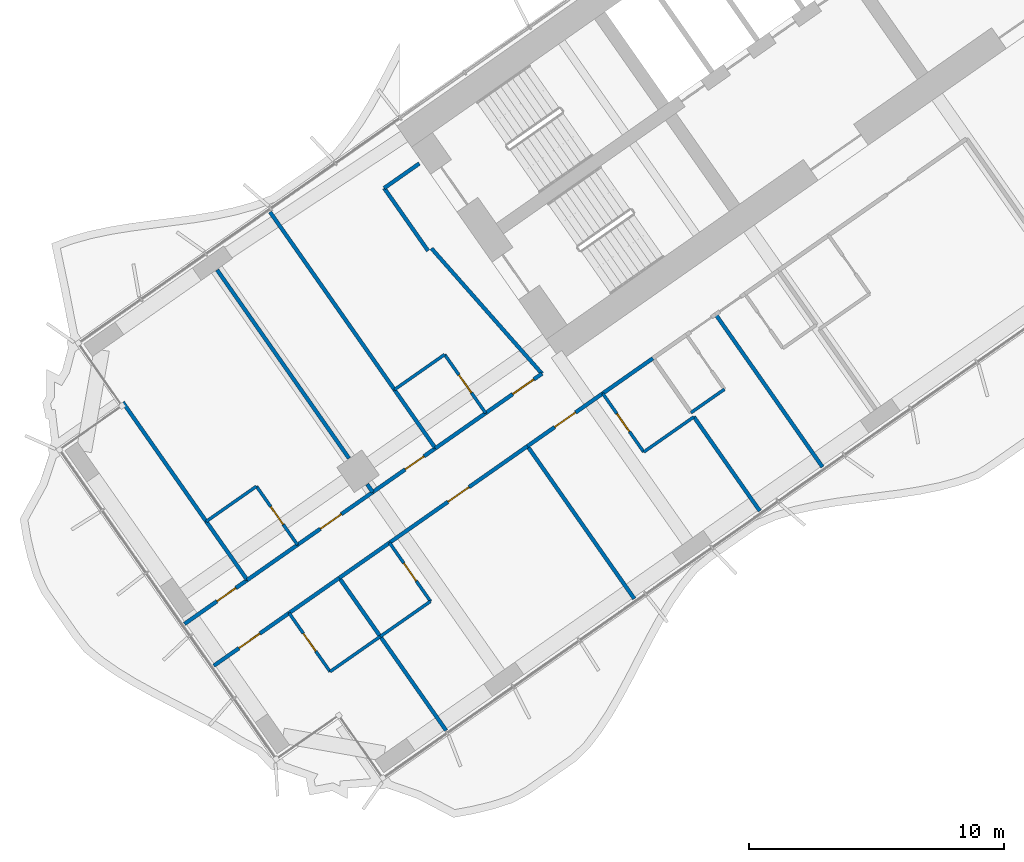
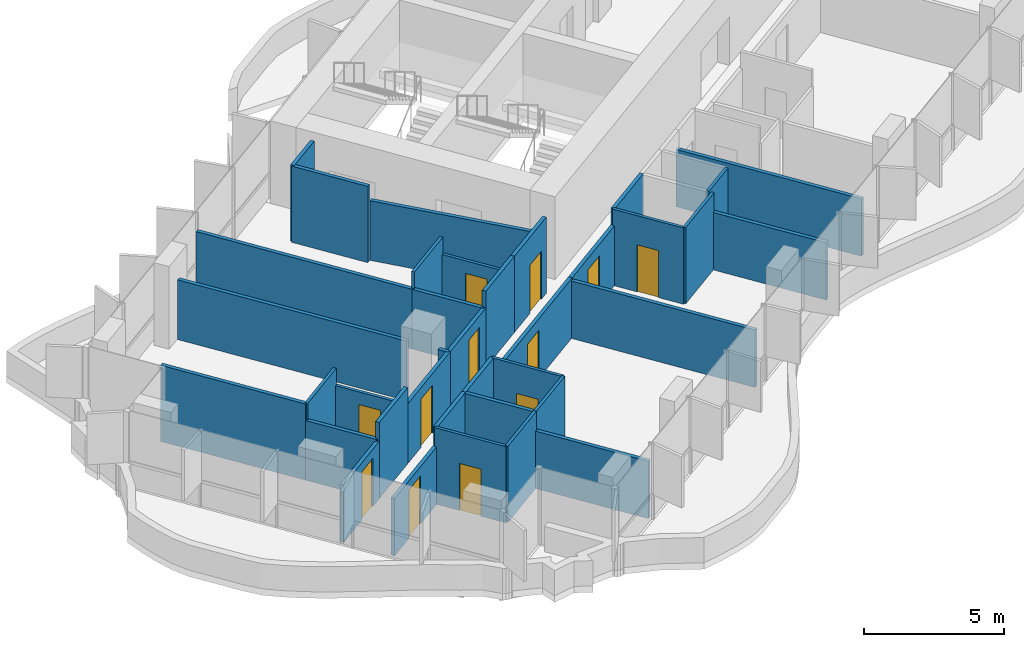
# One storey, part 12 of 23: 37 walls, 12 doors, 12 openings.
"""IFC4 building model written with IfcOpenShell, lengths in metres."""

import ifcopenshell
import ifcopenshell.guid

model = None  # the IFC model being written
_history = None  # IfcOwnerHistory: only IFC2X3 demands one
_inside = {}  # id of a spatial element -> (the spatial element, [elements in it])
_under = {}  # id of a project, library or spatial element -> (it, [spatial elements below it])
_declared = {}  # id of a project -> (the project, [libraries it declares])
_typed = {}  # id of a type object -> (the type object, [elements of that type])
_made_of = {}  # id of a material, layer set ... -> (it, [elements and type objects made of it])


def new_model(schema):
    """Start an empty IFC model of exactly this schema.

    Asked for "IFC4X3", IfcOpenShell would pick the latest addendum, in which some entities
    have other attributes; the version numbers below select the first issue.
    IFC2X3 requires an IfcOwnerHistory on every rooted entity: one is made here for all.
    """
    global model, _history
    if schema == "IFC4X3":
        model = ifcopenshell.file(schema_version=(4, 3, 0, 0))
    else:
        model = ifcopenshell.file(schema=schema)
    _inside.clear()
    _under.clear()
    _declared.clear()
    _typed.clear()
    _made_of.clear()
    _history = None
    if model.schema == "IFC2X3":
        org = make("IfcOrganization", Name="unknown")
        user = make(
            "IfcPersonAndOrganization",
            ThePerson=make("IfcPerson", FamilyName="unknown"),
            TheOrganization=org,
        )
        app = make(
            "IfcApplication",
            ApplicationDeveloper=org,
            Version="unknown",
            ApplicationFullName="unknown",
            ApplicationIdentifier="unknown",
        )
        _history = make(
            "IfcOwnerHistory",
            OwningUser=user,
            OwningApplication=app,
            ChangeAction="ADDED",
            CreationDate=0,
        )
    return model


def make(cls, **values):
    """One entity of the class cls with the attributes given. An attribute that is None is left unset."""
    return model.create_entity(
        cls, **{name: value for name, value in values.items() if value is not None}
    )


def rooted(cls, **values):
    """An entity with a GlobalId (a new one), such as an element, a storey or a relation."""
    return make(cls, GlobalId=ifcopenshell.guid.new(), OwnerHistory=_history, **values)


def si_unit(unit_type, name, prefix=None):
    """IfcSIUnit, for example si_unit("LENGTHUNIT", "METRE", prefix="MILLI")."""
    return make("IfcSIUnit", UnitType=unit_type, Prefix=prefix, Name=name)


def assignment(units):
    """IfcUnitAssignment: the units of a project."""
    return None if units is None else make("IfcUnitAssignment", Units=units)


def point(xyz):
    """IfcCartesianPoint."""
    return None if xyz is None else make("IfcCartesianPoint", Coordinates=xyz)


def direction(xyz):
    """IfcDirection."""
    return None if xyz is None else make("IfcDirection", DirectionRatios=xyz)


def frame(location, z_axis=None, x_axis=None):
    """IfcAxis2Placement3D, a coordinate frame: its origin and axes. An axis left out is left unset."""
    return make(
        "IfcAxis2Placement3D",
        Location=point(location),
        Axis=direction(z_axis),
        RefDirection=direction(x_axis),
    )


def frame_2d(location, x_axis=None):
    """IfcAxis2Placement2D, a coordinate frame in the plane: its origin and x axis."""
    return make(
        "IfcAxis2Placement2D", Location=point(location), RefDirection=direction(x_axis)
    )


def origin():
    """The frame at (0, 0, 0) with its axes left unset."""
    return frame((0.0, 0.0, 0.0))


def place(relative_to, where):
    """IfcLocalPlacement: puts the frame where relative to a parent placement (None: the world)."""
    return make(
        "IfcLocalPlacement", PlacementRelTo=relative_to, RelativePlacement=where
    )


def context(
    kind, dimensions, precision=None, world=None, true_north=None, identifier=None
):
    """IfcGeometricRepresentationContext, for example the 3D "Model" context."""
    return make(
        "IfcGeometricRepresentationContext",
        ContextIdentifier=identifier,
        ContextType=kind,
        CoordinateSpaceDimension=dimensions,
        Precision=precision,
        WorldCoordinateSystem=world,
        TrueNorth=true_north,
    )


def subcontext(parent, identifier, kind, view, scale=None):
    """IfcGeometricRepresentationSubContext, for example "Body" below "Model"."""
    return make(
        "IfcGeometricRepresentationSubContext",
        ContextIdentifier=identifier,
        ContextType=kind,
        ParentContext=parent,
        TargetScale=scale,
        TargetView=view,
    )


def project(units=None, contexts=None):
    """IfcProject with its units and contexts."""
    return rooted(
        "IfcProject",
        Name="project",
        RepresentationContexts=contexts,
        UnitsInContext=assignment(units),
    )


def spatial(cls, under=None, at=None, **own):
    """A site, building, storey or space (cls), placed at a placement, below another one or the project."""
    s = rooted(cls, ObjectPlacement=at, **own)
    if under is not None:
        _under.setdefault(under.id(), (under, []))[1].append(s)
    return s


def profile(cls, at=None, kind="AREA", **sizes):
    """A parametric profile (cls). Its sizes go by their IFC names, for example OverallWidth=200.0."""
    return make(cls, ProfileType=kind, Position=at, **sizes)


def rectangle(**sizes):
    """IfcRectangleProfileDef."""
    return profile("IfcRectangleProfileDef", **sizes)


def extrude(swept, where, along, depth):
    """IfcExtrudedAreaSolid: the profile swept, set in the frame where, extruded along a direction by depth."""
    return make(
        "IfcExtrudedAreaSolid",
        SweptArea=swept,
        Position=where,
        ExtrudedDirection=direction(along),
        Depth=depth,
    )


def shape(context_of_items, identifier, shape_type, items):
    """IfcShapeRepresentation: the items that make up one representation, for example the "Body"."""
    return make(
        "IfcShapeRepresentation",
        ContextOfItems=context_of_items,
        RepresentationIdentifier=identifier,
        RepresentationType=shape_type,
        Items=items,
    )


def material(Name=None, Category=None):
    """IfcMaterial."""
    return make("IfcMaterial", Name=Name, Category=Category)


def layer(
    of_material, thickness, ventilated=None, Name=None, Category=None, Priority=None
):
    """IfcMaterialLayer: one layer of a wall or slab, of a material (None: an air gap)."""
    return make(
        "IfcMaterialLayer",
        Material=of_material,
        LayerThickness=thickness,
        IsVentilated=ventilated,
        Name=Name,
        Category=Category,
        Priority=Priority,
    )


def layer_set(layers, Name=None):
    """IfcMaterialLayerSet."""
    return make("IfcMaterialLayerSet", MaterialLayers=layers, LayerSetName=Name)


def made_of(thing, what):
    """Note that an element or type object is made of a material, layer set ...; save() writes the relation."""
    if what is not None:
        _made_of.setdefault(what.id(), (what, []))[1].append(thing)
    return thing


def type_object(cls, material=None, **own):
    """A type object (cls), such as IfcWallType, which elements share."""
    return made_of(rooted(cls, **own), material)


def element(
    cls,
    number,
    at=None,
    inside=None,
    cuts=None,
    type_object=None,
    material=None,
    context=None,
    identifier="Body",
    shape_type=None,
    held_by="IfcProductDefinitionShape",
    body=None,
    shapes=None,
    **own,
):
    """One element of the class cls, such as IfcWall. Its Tag is "e" and its number.

    at: its placement. inside: the storey or other place that contains it. cuts: it is an
    opening in that element (IfcRelVoidsElement). A single representation is given by context,
    identifier, shape_type and body (its items); several are given by shapes. held_by: the class
    of the entity that holds the representations. save() writes the other relations.
    """
    e = rooted(cls, Tag="e%d" % number, ObjectPlacement=at, **own)
    if body is not None:
        shapes = [shape(context, identifier, shape_type, body)]
    if shapes is not None:
        e.Representation = make(held_by, Representations=shapes)
    if inside is not None:
        _inside.setdefault(inside.id(), (inside, []))[1].append(e)
    if cuts is not None:
        rooted(
            "IfcRelVoidsElement", RelatingBuildingElement=cuts, RelatedOpeningElement=e
        )
    if type_object is not None:
        _typed.setdefault(type_object.id(), (type_object, []))[1].append(e)
    return made_of(e, material)


def fill(opening, filler):
    """IfcRelFillsElement: the door or window that sits in an opening."""
    return rooted(
        "IfcRelFillsElement",
        RelatingOpeningElement=opening,
        RelatedBuildingElement=filler,
    )


def aggregate(whole, parts):
    """IfcRelAggregates: a whole, such as a stair, and the parts it consists of."""
    return rooted("IfcRelAggregates", RelatingObject=whole, RelatedObjects=parts)


def save(model, path):
    """Write the relations noted so far, then the file.

    IfcRelAggregates (storeys below a building ...), IfcRelContainedInSpatialStructure (elements
    in a storey), IfcRelDefinesByType, IfcRelAssociatesMaterial and IfcRelDeclares: one each for
    every whole, place, type object, material and project.
    """
    for whole, parts in _under.values():
        aggregate(whole, parts)
    for where, things in _inside.values():
        rooted(
            "IfcRelContainedInSpatialStructure",
            RelatedElements=things,
            RelatingStructure=where,
        )
    for kind, things in _typed.values():
        rooted("IfcRelDefinesByType", RelatedObjects=things, RelatingType=kind)
    for what, things in _made_of.values():
        rooted("IfcRelAssociatesMaterial", RelatedObjects=things, RelatingMaterial=what)
    for by, libraries in _declared.values():
        rooted("IfcRelDeclares", RelatingContext=by, RelatedDefinitions=libraries)
    model.write(path)


model = new_model("IFC4")

# Units and contexts
model_context = context("Model", 3, precision=1e-05, world=origin(), true_north=direction((0.0, 1.0)))
body_context = subcontext(model_context, "Body", "Model", "MODEL_VIEW")
ifc_project = project(units=[si_unit("LENGTHUNIT", "METRE"), si_unit("AREAUNIT", "SQUARE_METRE"), si_unit("VOLUMEUNIT", "CUBIC_METRE"), si_unit("PLANEANGLEUNIT", "RADIAN"), si_unit("MASSUNIT", "GRAM", prefix="KILO")], contexts=[model_context])

# Site, building, storey
site_placement = place(None, origin())
site = spatial("IfcSite", under=ifc_project, at=site_placement, CompositionType="ELEMENT")
building_placement = place(site_placement, origin())
building = spatial("IfcBuilding", under=site, at=building_placement, Name="Tel Ilan Convention Tower", CompositionType="ELEMENT")
storey_placement = place(building_placement, frame((0.0, 0.0, 101.300048828125)))
storey = spatial("IfcBuildingStorey", under=building, at=storey_placement, Name="L21", CompositionType="ELEMENT", Elevation=101.300048828125)

# Wall, opening, door
ifc_material_1 = material(Name="Plasterboard on Steel Studs", Category="steel")
ifc_layer_1 = layer(ifc_material_1, 0.14990234375)
ifc_layer_set_1 = layer_set([ifc_layer_1], Name="Fire-rated Partition 150 EI 60")
wall_type_1 = type_object("IfcWallType", Name="Fire-rated Partition 150 EI 60", PredefinedType="PARTITIONING", material=ifc_layer_set_1)
wall_1_placement = place(storey_placement, frame((-24.493408203125, -18.37109375, 0.0), z_axis=(0.0, 0.0, 1.0), x_axis=(0.819176640776, 0.573541307325, 0.0)))
wall_1 = element("IfcWall", 1, at=wall_1_placement, inside=storey, type_object=wall_type_1, Name="Partition 016", PredefinedType="PARTITIONING", context=body_context, shape_type="SweptSolid", body=[
    extrude(rectangle(XDim=2.697509765625, YDim=0.14990234375, at=frame_2d((1.3486328125, 0.0))), origin(), (0.0, 0.0, 1.0), 3.320068359375),
])
opening_1_placement = place(wall_1_placement, frame((1.301025390625, 0.0, 0.0)))
opening_1 = element("IfcOpeningElement", 2, at=opening_1_placement, cuts=wall_1, Name="Opening L21-014", PredefinedType="OPENING", context=body_context, shape_type="SweptSolid", body=[
    extrude(rectangle(XDim=1.0, YDim=2.10009765625, at=frame_2d((0.5, 1.050048828125))), frame((0.0, 0.0849609375, 0.0), z_axis=(0.0, -1.0, 0.0), x_axis=(1.0, 0.0, 0.0)), (0.0, 0.0, 1.0), 0.169921875),
])
ifc_material_2 = material(Name="Timber Door Leaf in Steel Frame", Category="steel")
door_type_1 = type_object("IfcDoorType", Name="Hotel Room Entrance Fire Door 1000x2100", OperationType="NOTDEFINED", PredefinedType="DOOR", material=ifc_material_2)
door_1_placement = place(opening_1_placement, origin())
door_1 = element("IfcDoor", 3, at=door_1_placement, inside=storey, type_object=door_type_1, Name="Door L21-014", OperationType="SINGLE_SWING_RIGHT", OverallHeight=2.10009765625, OverallWidth=1.0, PredefinedType="DOOR", context=body_context, shape_type="SweptSolid", body=[
    extrude(rectangle(XDim=1.0, YDim=2.10009765625, at=frame_2d((0.5, 1.050048828125))), frame((0.0, 0.02490234375, 0.0), z_axis=(0.0, -1.0, 0.0), x_axis=(1.0, 0.0, 0.0)), (0.0, 0.0, 1.0), 0.050048828125),
])
fill(opening_1, door_1)

# Wall
wall_2_placement = place(storey_placement, frame((-26.460205078125, -19.748291015625, 0.0), z_axis=(0.0, 0.0, 1.0), x_axis=(0.819179439794, 0.573537309527, 0.0)))
element("IfcWall", 4, at=wall_2_placement, inside=storey, type_object=wall_type_1, Name="Partition 017", PredefinedType="PARTITIONING", context=body_context, shape_type="SweptSolid", body=[
    extrude(rectangle(XDim=2.404296875, YDim=0.14990234375, at=frame_2d((1.2021484375, 0.0))), origin(), (0.0, 0.0, 1.0), 3.320068359375),
])

# Wall, opening, door
wall_3_placement = place(storey_placement, frame((-28.91748046875, -21.468994140625, 0.0), z_axis=(0.0, 0.0, 1.0), x_axis=(0.81916700466, 0.573555070134, 0.0)))
wall_3 = element("IfcWall", 5, at=wall_3_placement, inside=storey, type_object=wall_type_1, Name="Partition 018", PredefinedType="PARTITIONING", context=body_context, shape_type="SweptSolid", body=[
    extrude(rectangle(XDim=3.00390625, YDim=0.14990234375, at=frame_2d((1.501953125, 0.0))), origin(), (0.0, 0.0, 1.0), 2.599853515625),
])
opening_2_placement = place(wall_3_placement, frame((1.552001953125, 0.0, 0.0)))
opening_2 = element("IfcOpeningElement", 6, at=opening_2_placement, cuts=wall_3, Name="Opening L21-015", PredefinedType="OPENING", context=body_context, shape_type="SweptSolid", body=[
    extrude(rectangle(XDim=0.89990234375, YDim=2.10009765625, at=frame_2d((0.449951171875, 1.050048828125))), frame((0.0, 0.0849609375, 0.0), z_axis=(0.0, -1.0, 0.0), x_axis=(1.0, 0.0, 0.0)), (0.0, 0.0, 1.0), 0.169921875),
])
ifc_material_3 = material(Name="Timber Door Leaf in Steel Frame", Category="steel")
door_type_2 = type_object("IfcDoorType", Name="Room Fire Door 900x2100", OperationType="NOTDEFINED", PredefinedType="DOOR", material=ifc_material_3)
door_2_placement = place(opening_2_placement, origin())
door_2 = element("IfcDoor", 7, at=door_2_placement, inside=storey, type_object=door_type_2, Name="Door L21-015", OperationType="SINGLE_SWING_LEFT", OverallHeight=2.10009765625, OverallWidth=0.89990234375, PredefinedType="DOOR", context=body_context, shape_type="SweptSolid", body=[
    extrude(rectangle(XDim=0.89990234375, YDim=2.10009765625, at=frame_2d((0.449951171875, 1.050048828125))), frame((0.0, 0.02490234375, 0.0), z_axis=(0.0, -1.0, 0.0), x_axis=(1.0, 0.0, 0.0)), (0.0, 0.0, 1.0), 0.050048828125),
])
fill(opening_2, door_2)

wall_4_placement = place(storey_placement, frame((-31.86572265625, -23.533447265625, 0.0), z_axis=(0.0, 0.0, 1.0), x_axis=(0.819145961204, 0.573585123798, 0.0)))
wall_4 = element("IfcWall", 8, at=wall_4_placement, inside=storey, type_object=wall_type_1, Name="Partition 019", PredefinedType="PARTITIONING", context=body_context, shape_type="SweptSolid", body=[
    extrude(rectangle(XDim=3.60302734375, YDim=0.14990234375, at=frame_2d((1.801513671875, 0.0))), origin(), (0.0, 0.0, 1.0), 2.599853515625),
])
opening_3_placement = place(wall_4_placement, frame((1.10107421875, 0.0, 0.0)))
opening_3 = element("IfcOpeningElement", 9, at=opening_3_placement, cuts=wall_4, Name="Opening L21-017", PredefinedType="OPENING", context=body_context, shape_type="SweptSolid", body=[
    extrude(rectangle(XDim=1.0, YDim=2.10009765625, at=frame_2d((0.5, 1.050048828125))), frame((0.0, 0.0849609375, 0.0), z_axis=(0.0, -1.0, 0.0), x_axis=(1.0, 0.0, 0.0)), (0.0, 0.0, 1.0), 0.169921875),
])
door_3_placement = place(opening_3_placement, origin())
door_3 = element("IfcDoor", 10, at=door_3_placement, inside=storey, type_object=door_type_1, Name="Door L21-017", OperationType="SINGLE_SWING_LEFT", OverallHeight=2.10009765625, OverallWidth=1.0, PredefinedType="DOOR", context=body_context, shape_type="SweptSolid", body=[
    extrude(rectangle(XDim=1.0, YDim=2.10009765625, at=frame_2d((0.5, 1.050048828125))), frame((0.0, 0.02490234375, 0.0), z_axis=(0.0, -1.0, 0.0), x_axis=(1.0, 0.0, 0.0)), (0.0, 0.0, 1.0), 0.050048828125),
])
fill(opening_3, door_3)

# Wall
wall_5_placement = place(storey_placement, frame((-33.83251953125, -24.910400390625, 0.0), z_axis=(0.0, 0.0, 1.0), x_axis=(0.819146032251, 0.573585022335, 0.0)))
element("IfcWall", 11, at=wall_5_placement, inside=storey, type_object=wall_type_1, Name="Partition 020", PredefinedType="PARTITIONING", context=body_context, shape_type="SweptSolid", body=[
    extrude(rectangle(XDim=2.404052734375, YDim=0.14990234375, at=frame_2d((1.2021484375, 0.0))), origin(), (0.0, 0.0, 1.0), 3.320068359375),
])

# Wall, opening, door
wall_6_placement = place(storey_placement, frame((-36.288330078125, -26.630126953125, 0.0), z_axis=(0.0, 0.0, 1.0), x_axis=(0.81915932427, 0.57356603932, 0.0)))
wall_6 = element("IfcWall", 12, at=wall_6_placement, inside=storey, type_object=wall_type_1, Name="Partition 021", PredefinedType="PARTITIONING", context=body_context, shape_type="SweptSolid", body=[
    extrude(rectangle(XDim=3.002197265625, YDim=0.14990234375, at=frame_2d((1.5009765625, 0.0))), origin(), (0.0, 0.0, 1.0), 2.5),
])
opening_4_placement = place(wall_6_placement, frame((1.551025390625, 0.0, 0.0)))
opening_4 = element("IfcOpeningElement", 13, at=opening_4_placement, cuts=wall_6, Name="Opening L21-018", PredefinedType="OPENING", context=body_context, shape_type="SweptSolid", body=[
    extrude(rectangle(XDim=0.89990234375, YDim=2.10009765625, at=frame_2d((0.449951171875, 1.050048828125))), frame((0.0, 0.0849609375, 0.0), z_axis=(0.0, -1.0, 0.0), x_axis=(1.0, 0.0, 0.0)), (0.0, 0.0, 1.0), 0.169921875),
])
door_4_placement = place(opening_4_placement, origin())
door_4 = element("IfcDoor", 14, at=door_4_placement, inside=storey, type_object=door_type_2, Name="Door L21-018", OperationType="SINGLE_SWING_RIGHT", OverallHeight=2.10009765625, OverallWidth=0.89990234375, PredefinedType="DOOR", context=body_context, shape_type="SweptSolid", body=[
    extrude(rectangle(XDim=0.89990234375, YDim=2.10009765625, at=frame_2d((0.449951171875, 1.050048828125))), frame((0.0, 0.02490234375, 0.0), z_axis=(0.0, -1.0, 0.0), x_axis=(1.0, 0.0, 0.0)), (0.0, 0.0, 1.0), 0.050048828125),
])
fill(opening_4, door_4)

wall_7_placement = place(storey_placement, frame((-19.904052734375, -17.599365234375, 0.0), z_axis=(0.0, 0.0, 1.0), x_axis=(-0.819145961204, -0.573585123798, 0.0)))
wall_7 = element("IfcWall", 15, at=wall_7_placement, inside=storey, type_object=wall_type_1, Name="Partition 028", PredefinedType="PARTITIONING", context=body_context, shape_type="SweptSolid", body=[
    extrude(rectangle(XDim=3.60302734375, YDim=0.14990234375, at=frame_2d((1.801513671875, 0.0))), origin(), (0.0, 0.0, 1.0), 2.599853515625),
])
opening_5_placement = place(wall_7_placement, frame((1.301025390625, 0.0, 0.0)))
opening_5 = element("IfcOpeningElement", 16, at=opening_5_placement, cuts=wall_7, Name="Opening L21-008", PredefinedType="OPENING", context=body_context, shape_type="SweptSolid", body=[
    extrude(rectangle(XDim=1.0, YDim=2.10009765625, at=frame_2d((0.5, 1.050048828125))), frame((0.0, 0.0849609375, 0.0), z_axis=(0.0, -1.0, 0.0), x_axis=(1.0, 0.0, 0.0)), (0.0, 0.0, 1.0), 0.169921875),
])
door_5_placement = place(opening_5_placement, origin())
door_5 = element("IfcDoor", 17, at=door_5_placement, inside=storey, type_object=door_type_1, Name="Door L21-008", OperationType="SINGLE_SWING_RIGHT", OverallHeight=2.10009765625, OverallWidth=1.0, PredefinedType="DOOR", context=body_context, shape_type="SweptSolid", body=[
    extrude(rectangle(XDim=1.0, YDim=2.10009765625, at=frame_2d((0.5, 1.050048828125))), frame((0.0, 0.02490234375, 0.0), z_axis=(0.0, -1.0, 0.0), x_axis=(1.0, 0.0, 0.0)), (0.0, 0.0, 1.0), 0.050048828125),
])
fill(opening_5, door_5)

# Wall
wall_8_placement = place(storey_placement, frame((-17.937255859375, -16.22216796875, 0.0), z_axis=(0.0, 0.0, 1.0), x_axis=(-0.819146032251, -0.573585022335, 0.0)))
element("IfcWall", 18, at=wall_8_placement, inside=storey, type_object=wall_type_1, Name="Partition 029", PredefinedType="PARTITIONING", context=body_context, shape_type="SweptSolid", body=[
    extrude(rectangle(XDim=2.404052734375, YDim=0.14990234375, at=frame_2d((1.2021484375, 0.0))), origin(), (0.0, 0.0, 1.0), 3.320068359375),
])

# Wall, opening, door
wall_9_placement = place(storey_placement, frame((-22.852294921875, -19.66357421875, 0.0), z_axis=(0.0, 0.0, 1.0), x_axis=(-0.819141582452, -0.573591377113, 0.0)))
wall_9 = element("IfcWall", 19, at=wall_9_placement, inside=storey, type_object=wall_type_1, Name="Partition 030", PredefinedType="PARTITIONING", context=body_context, shape_type="SweptSolid", body=[
    extrude(rectangle(XDim=6.602783203125, YDim=0.14990234375, at=frame_2d((3.30126953125, 0.0))), origin(), (0.0, 0.0, 1.0), 2.599853515625),
])
opening_6_placement = place(wall_9_placement, frame((2.802001953125, 0.0, 0.0)))
opening_6 = element("IfcOpeningElement", 20, at=opening_6_placement, cuts=wall_9, Name="Opening L21-010", PredefinedType="OPENING", context=body_context, shape_type="SweptSolid", body=[
    extrude(rectangle(XDim=1.0, YDim=2.10009765625, at=frame_2d((0.5, 1.050048828125))), frame((0.0, 0.0849609375, 0.0), z_axis=(0.0, -1.0, 0.0), x_axis=(1.0, 0.0, 0.0)), (0.0, 0.0, 1.0), 0.169921875),
])
door_6_placement = place(opening_6_placement, origin())
door_6 = element("IfcDoor", 21, at=door_6_placement, inside=storey, type_object=door_type_1, Name="Door L21-010", OperationType="SINGLE_SWING_LEFT", OverallHeight=2.10009765625, OverallWidth=1.0, PredefinedType="DOOR", context=body_context, shape_type="SweptSolid", body=[
    extrude(rectangle(XDim=1.0, YDim=2.10009765625, at=frame_2d((0.5, 1.050048828125))), frame((0.0, 0.02490234375, 0.0), z_axis=(0.0, -1.0, 0.0), x_axis=(1.0, 0.0, 0.0)), (0.0, 0.0, 1.0), 0.050048828125),
])
fill(opening_6, door_6)

# Wall
wall_10_placement = place(storey_placement, frame((-28.258544921875, -23.44921875, 0.0), z_axis=(0.0, 0.0, 1.0), x_axis=(-0.819146032251, -0.573585022335, 0.0)))
element("IfcWall", 22, at=wall_10_placement, inside=storey, type_object=wall_type_1, Name="Partition 031", PredefinedType="PARTITIONING", context=body_context, shape_type="SweptSolid", body=[
    extrude(rectangle(XDim=2.404052734375, YDim=0.14990234375, at=frame_2d((1.2021484375, 0.0))), origin(), (0.0, 0.0, 1.0), 3.320068359375),
])

# Wall, opening, door
wall_11_placement = place(storey_placement, frame((-32.19140625, -26.202880859375, 0.0), z_axis=(0.0, 0.0, 1.0), x_axis=(-0.819149096931, -0.573580645591, 0.0)))
wall_11 = element("IfcWall", 23, at=wall_11_placement, inside=storey, type_object=wall_type_1, Name="Partition 032", PredefinedType="PARTITIONING", context=body_context, shape_type="SweptSolid", body=[
    extrude(rectangle(XDim=3.600830078125, YDim=0.14990234375, at=frame_2d((1.80029296875, 0.0))), origin(), (0.0, 0.0, 1.0), 2.5),
])
opening_7_placement = place(wall_11_placement, frame((1.40087890625, 0.0, 0.0)))
opening_7 = element("IfcOpeningElement", 24, at=opening_7_placement, cuts=wall_11, Name="Opening L21-012", PredefinedType="OPENING", context=body_context, shape_type="SweptSolid", body=[
    extrude(rectangle(XDim=1.0, YDim=2.10009765625, at=frame_2d((0.5, 1.050048828125))), frame((0.0, 0.0849609375, 0.0), z_axis=(0.0, -1.0, 0.0), x_axis=(1.0, 0.0, 0.0)), (0.0, 0.0, 1.0), 0.169921875),
])
door_7_placement = place(opening_7_placement, origin())
door_7 = element("IfcDoor", 25, at=door_7_placement, inside=storey, type_object=door_type_1, Name="Door L21-012", OperationType="SINGLE_SWING_LEFT", OverallHeight=2.10009765625, OverallWidth=1.0, PredefinedType="DOOR", context=body_context, shape_type="SweptSolid", body=[
    extrude(rectangle(XDim=1.0, YDim=2.10009765625, at=frame_2d((0.5, 1.050048828125))), frame((0.0, 0.02490234375, 0.0), z_axis=(0.0, -1.0, 0.0), x_axis=(1.0, 0.0, 0.0)), (0.0, 0.0, 1.0), 0.050048828125),
])
fill(opening_7, door_7)

# Walls
wall_12_placement = place(storey_placement, frame((-30.224609375, -24.82568359375, 0.0), z_axis=(0.0, 0.0, 1.0), x_axis=(-0.819146032251, -0.573585022335, 0.0)))
element("IfcWall", 26, at=wall_12_placement, inside=storey, type_object=wall_type_1, Name="Partition 033", PredefinedType="PARTITIONING", context=body_context, shape_type="SweptSolid", body=[
    extrude(rectangle(XDim=2.404052734375, YDim=0.14990234375, at=frame_2d((1.2021484375, 0.0))), origin(), (0.0, 0.0, 1.0), 3.320068359375),
])
wall_13_placement = place(storey_placement, frame((-26.74609375, -12.013671875, 0.0), z_axis=(0.0, 0.0, 1.0), x_axis=(-0.573560650686, 0.819163097304, 0.0)))
element("IfcWall", 27, at=wall_13_placement, inside=storey, type_object=wall_type_1, Name="Partition 063", PredefinedType="PARTITIONING", context=body_context, shape_type="SweptSolid", body=[
    extrude(rectangle(XDim=3.0, YDim=0.14990234375, at=frame_2d((1.5, 0.0))), origin(), (0.0, 0.0, 1.0), 3.320068359375),
])
wall_14_placement = place(storey_placement, frame((-28.466796875, -9.55615234375, 0.0), z_axis=(0.0, 0.0, 1.0), x_axis=(0.819109000826, 0.573637903879, 0.0)))
element("IfcWall", 28, at=wall_14_placement, inside=storey, type_object=wall_type_1, Name="Partition 064", PredefinedType="PARTITIONING", context=body_context, shape_type="SweptSolid", body=[
    extrude(rectangle(XDim=1.679931640625, YDim=0.14990234375, at=frame_2d((0.83984375, 0.0))), origin(), (0.0, 0.0, 1.0), 3.320068359375),
])
wall_15_placement = place(storey_placement, frame((-22.2841796875, -16.82666015625, 0.0), z_axis=(0.0, 0.0, 1.0), x_axis=(-0.661545117561, 0.749905365651, 0.0)))
element("IfcWall", 29, at=wall_15_placement, inside=storey, type_object=wall_type_1, Name="Partition 065", PredefinedType="PARTITIONING", context=body_context, shape_type="SweptSolid", body=[
    extrude(rectangle(XDim=6.542724609375, YDim=0.14990234375, at=frame_2d((3.271484375, 0.0))), origin(), (0.0, 0.0, 1.0), 2.599853515625),
])
wall_16_placement = place(storey_placement, frame((-28.06494140625, -17.45263671875, 0.0), z_axis=(0.0, 0.0, 1.0), x_axis=(-0.573593433868, 0.819140142237, 0.0)))
element("IfcWall", 30, at=wall_16_placement, inside=storey, type_object=wall_type_1, Name="Partition 068", PredefinedType="PARTITIONING", context=body_context, shape_type="SweptSolid", body=[
    extrude(rectangle(XDim=8.4990234375, YDim=0.14990234375, at=frame_2d((4.24951171875, 0.0))), origin(), (0.0, 0.0, 1.0), 2.599853515625),
])
wall_17_placement = place(storey_placement, frame((-26.45849609375, -19.747314453125, 0.0), z_axis=(0.0, 0.0, 1.0), x_axis=(-0.573550118428, 0.819170471667, 0.0)))
element("IfcWall", 31, at=wall_17_placement, inside=storey, type_object=wall_type_1, Name="Partition 069", PredefinedType="PARTITIONING", context=body_context, shape_type="SweptSolid", body=[
    extrude(rectangle(XDim=2.800048828125, YDim=0.14990234375, at=frame_2d((1.39990234375, 0.0))), origin(), (0.0, 0.0, 1.0), 2.599853515625),
])
wall_18_placement = place(storey_placement, frame((-28.916015625, -21.468017578125, 0.0), z_axis=(0.0, 0.0, 1.0), x_axis=(-0.572944929411, 0.819593867633, 0.0)))
element("IfcWall", 32, at=wall_18_placement, inside=storey, type_object=wall_type_1, Name="Partition 070", PredefinedType="PARTITIONING", context=body_context, shape_type="SweptSolid", body=[
    extrude(rectangle(XDim=0.380126953125, YDim=0.14990234375, at=frame_2d((0.18994140625, 0.0))), origin(), (0.0, 0.0, 1.0), 2.599853515625),
])
wall_19_placement = place(storey_placement, frame((-29.84521484375, -20.140869140625, 0.0), z_axis=(0.0, 0.0, 1.0), x_axis=(-0.573558725113, 0.819164445546, 0.0)))
element("IfcWall", 33, at=wall_19_placement, inside=storey, type_object=wall_type_1, Name="Partition 071", PredefinedType="PARTITIONING", context=body_context, shape_type="SweptSolid", body=[
    extrude(rectangle(XDim=9.010009765625, YDim=0.14990234375, at=frame_2d((4.5048828125, 0.0))), origin(), (0.0, 0.0, 1.0), 2.599853515625),
])
wall_20_placement = place(storey_placement, frame((-35.4375, -22.614990234375, 0.0), z_axis=(0.0, 0.0, 1.0), x_axis=(-0.573568678046, 0.819157476658, 0.0)))
element("IfcWall", 34, at=wall_20_placement, inside=storey, type_object=wall_type_1, Name="Partition 074", PredefinedType="PARTITIONING", context=body_context, shape_type="SweptSolid", body=[
    extrude(rectangle(XDim=5.701171875, YDim=0.14990234375, at=frame_2d((2.8505859375, 0.0))), origin(), (0.0, 0.0, 1.0), 3.320068359375),
])
wall_21_placement = place(storey_placement, frame((-33.830810546875, -24.909423828125, 0.0), z_axis=(0.0, 0.0, 1.0), x_axis=(-0.573550118428, 0.819170471667, 0.0)))
element("IfcWall", 35, at=wall_21_placement, inside=storey, type_object=wall_type_1, Name="Partition 075", PredefinedType="PARTITIONING", context=body_context, shape_type="SweptSolid", body=[
    extrude(rectangle(XDim=2.800048828125, YDim=0.14990234375, at=frame_2d((1.39990234375, 0.0))), origin(), (0.0, 0.0, 1.0), 2.599853515625),
])
wall_22_placement = place(storey_placement, frame((-11.29443359375, -20.482421875, 0.0), z_axis=(0.0, 0.0, 1.0), x_axis=(-0.573572324301, 0.819154923562, 0.0)))
element("IfcWall", 36, at=wall_22_placement, inside=storey, type_object=wall_type_1, Name="Partition 082", PredefinedType="PARTITIONING", context=body_context, shape_type="SweptSolid", body=[
    extrude(rectangle(XDim=7.2998046875, YDim=0.14990234375, at=frame_2d((3.64990234375, 0.0))), origin(), (0.0, 0.0, 1.0), 2.5),
])
wall_23_placement = place(storey_placement, frame((-13.751708984375, -22.203125, 0.0), z_axis=(0.0, 0.0, 1.0), x_axis=(-0.573593387921, 0.81914017441, 0.0)))
element("IfcWall", 37, at=wall_23_placement, inside=storey, type_object=wall_type_1, Name="Partition 085", PredefinedType="PARTITIONING", context=body_context, shape_type="SweptSolid", body=[
    extrude(rectangle(XDim=4.5009765625, YDim=0.14990234375, at=frame_2d((2.25048828125, 0.0))), origin(), (0.0, 0.0, 1.0), 2.5),
])
wall_24_placement = place(storey_placement, frame((-18.666748046875, -25.64453125, 0.0), z_axis=(0.0, 0.0, 1.0), x_axis=(-0.573572324301, 0.819154923562, 0.0)))
element("IfcWall", 38, at=wall_24_placement, inside=storey, type_object=wall_type_1, Name="Partition 089", PredefinedType="PARTITIONING", context=body_context, shape_type="SweptSolid", body=[
    extrude(rectangle(XDim=7.2998046875, YDim=0.14990234375, at=frame_2d((3.64990234375, 0.0))), origin(), (0.0, 0.0, 1.0), 2.5),
])
wall_25_placement = place(storey_placement, frame((-26.0390625, -30.806640625, 0.0), z_axis=(0.0, 0.0, 1.0), x_axis=(-0.573589807488, 0.819142681555, 0.0)))
element("IfcWall", 39, at=wall_25_placement, inside=storey, type_object=wall_type_1, Name="Partition 092", PredefinedType="PARTITIONING", context=body_context, shape_type="SweptSolid", body=[
    extrude(rectangle(XDim=4.4990234375, YDim=0.14990234375, at=frame_2d((2.24951171875, 0.0))), origin(), (0.0, 0.0, 1.0), 2.5),
])
wall_26_placement = place(storey_placement, frame((-28.6201171875, -27.12060546875, 0.0), z_axis=(0.0, 0.0, 1.0), x_axis=(-0.573608623498, 0.819129505664, 0.0)))
element("IfcWall", 40, at=wall_26_placement, inside=storey, type_object=wall_type_1, Name="Partition 093", PredefinedType="PARTITIONING", context=body_context, shape_type="SweptSolid", body=[
    extrude(rectangle(XDim=2.800048828125, YDim=0.14990234375, at=frame_2d((1.39990234375, 0.0))), origin(), (0.0, 0.0, 1.0), 3.320068359375),
])
ifc_material_4 = material(Name="Plasterboard on Steel Studs", Category="steel")
ifc_layer_2 = layer(ifc_material_4, 0.1201171875)
ifc_layer_set_2 = layer_set([ifc_layer_2], Name="Moisture-resistant Partition 120")
wall_type_2 = type_object("IfcWallType", Name="Moisture-resistant Partition 120", PredefinedType="PARTITIONING", material=ifc_layer_set_2)
wall_27_placement = place(storey_placement, frame((-26.09912109375, -16.076171875, 0.0), z_axis=(0.0, 0.0, 1.0), x_axis=(-0.819155442668, -0.573571582932, 0.0)))
element("IfcWall", 41, at=wall_27_placement, inside=storey, type_object=wall_type_2, Name="Partition 066", PredefinedType="PARTITIONING", context=body_context, shape_type="SweptSolid", body=[
    extrude(rectangle(XDim=2.39990234375, YDim=0.1201171875, at=frame_2d((1.199951171875, 0.0))), origin(), (0.0, 0.0, 1.0), 3.320068359375),
])

# Wall, opening, door
wall_28_placement = place(storey_placement, frame((-24.49169921875, -18.3701171875, 0.0), z_axis=(0.0, 0.0, 1.0), x_axis=(-0.573550118428, 0.819170471667, 0.0)))
wall_28 = element("IfcWall", 42, at=wall_28_placement, inside=storey, type_object=wall_type_2, Name="Partition 067", PredefinedType="PARTITIONING", context=body_context, shape_type="SweptSolid", body=[
    extrude(rectangle(XDim=2.800048828125, YDim=0.1201171875, at=frame_2d((1.39990234375, 0.0))), origin(), (0.0, 0.0, 1.0), 2.599853515625),
])
opening_8_placement = place(wall_28_placement, frame((0.97509765625, 0.0, 0.0)))
opening_8 = element("IfcOpeningElement", 43, at=opening_8_placement, cuts=wall_28, Name="Opening L21-013", PredefinedType="OPENING", context=body_context, shape_type="SweptSolid", body=[
    extrude(rectangle(XDim=0.85009765625, YDim=2.050048828125, at=frame_2d((0.425048828125, 1.02490234375))), frame((0.0, 0.070068359375, 0.0), z_axis=(0.0, -1.0, 0.0), x_axis=(1.0, 0.0, 0.0)), (0.0, 0.0, 1.0), 0.14013671875),
])
ifc_material_5 = material(Name="Timber Door Leaf in Steel Frame", Category="steel")
door_type_3 = type_object("IfcDoorType", Name="Bathroom Timber Door 850x2050", OperationType="NOTDEFINED", PredefinedType="DOOR", material=ifc_material_5)
door_8_placement = place(opening_8_placement, origin())
door_8 = element("IfcDoor", 44, at=door_8_placement, inside=storey, type_object=door_type_3, Name="Door L21-013", OperationType="SINGLE_SWING_LEFT", OverallHeight=2.050048828125, OverallWidth=0.85009765625, PredefinedType="DOOR", context=body_context, shape_type="SweptSolid", body=[
    extrude(rectangle(XDim=0.85009765625, YDim=2.050048828125, at=frame_2d((0.425048828125, 1.02490234375))), frame((0.0, 0.02490234375, 0.0), z_axis=(0.0, -1.0, 0.0), x_axis=(1.0, 0.0, 0.0)), (0.0, 0.0, 1.0), 0.050048828125),
])
fill(opening_8, door_8)

wall_29_placement = place(storey_placement, frame((-31.864013671875, -23.5322265625, 0.0), z_axis=(0.0, 0.0, 1.0), x_axis=(-0.573550118428, 0.819170471667, 0.0)))
wall_29 = element("IfcWall", 45, at=wall_29_placement, inside=storey, type_object=wall_type_2, Name="Partition 072", PredefinedType="PARTITIONING", context=body_context, shape_type="SweptSolid", body=[
    extrude(rectangle(XDim=2.800048828125, YDim=0.1201171875, at=frame_2d((1.39990234375, 0.0))), origin(), (0.0, 0.0, 1.0), 2.599853515625),
])
opening_9_placement = place(wall_29_placement, frame((0.97509765625, 0.0, 0.0)))
opening_9 = element("IfcOpeningElement", 46, at=opening_9_placement, cuts=wall_29, Name="Opening L21-016", PredefinedType="OPENING", context=body_context, shape_type="SweptSolid", body=[
    extrude(rectangle(XDim=0.85009765625, YDim=2.050048828125, at=frame_2d((0.425048828125, 1.02490234375))), frame((0.0, 0.070068359375, 0.0), z_axis=(0.0, -1.0, 0.0), x_axis=(1.0, 0.0, 0.0)), (0.0, 0.0, 1.0), 0.14013671875),
])
door_9_placement = place(opening_9_placement, origin())
door_9 = element("IfcDoor", 47, at=door_9_placement, inside=storey, type_object=door_type_3, Name="Door L21-016", OperationType="SINGLE_SWING_RIGHT", OverallHeight=2.050048828125, OverallWidth=0.85009765625, PredefinedType="DOOR", context=body_context, shape_type="SweptSolid", body=[
    extrude(rectangle(XDim=0.85009765625, YDim=2.050048828125, at=frame_2d((0.425048828125, 1.02490234375))), frame((0.0, 0.02490234375, 0.0), z_axis=(0.0, -1.0, 0.0), x_axis=(1.0, 0.0, 0.0)), (0.0, 0.0, 1.0), 0.050048828125),
])
fill(opening_9, door_9)

# Walls
wall_30_placement = place(storey_placement, frame((-33.471435546875, -21.23828125, 0.0), z_axis=(0.0, 0.0, 1.0), x_axis=(-0.819141114317, -0.573592045652, 0.0)))
element("IfcWall", 48, at=wall_30_placement, inside=storey, type_object=wall_type_2, Name="Partition 073", PredefinedType="PARTITIONING", context=body_context, shape_type="SweptSolid", body=[
    extrude(rectangle(XDim=2.400146484375, YDim=0.1201171875, at=frame_2d((1.2001953125, 0.0))), origin(), (0.0, 0.0, 1.0), 3.320068359375),
])
wall_31_placement = place(storey_placement, frame((-16.447021484375, -18.35400390625, 0.0), z_axis=(0.0, 0.0, 1.0), x_axis=(0.819131543282, 0.57360571371, 0.0)))
element("IfcWall", 49, at=wall_31_placement, inside=storey, type_object=wall_type_2, Name="Partition 083", PredefinedType="PARTITIONING", context=body_context, shape_type="SweptSolid", body=[
    extrude(rectangle(XDim=1.599853515625, YDim=0.1201171875, at=frame_2d((0.7998046875, 0.0))), origin(), (0.0, 0.0, 1.0), 3.320068359375),
])

# Wall, opening, door
wall_32_placement = place(storey_placement, frame((-19.90576171875, -17.600341796875, 0.0), z_axis=(0.0, 0.0, 1.0), x_axis=(0.573550118428, -0.819170471667, 0.0)))
wall_32 = element("IfcWall", 50, at=wall_32_placement, inside=storey, type_object=wall_type_2, Name="Partition 087", PredefinedType="PARTITIONING", context=body_context, shape_type="SweptSolid", body=[
    extrude(rectangle(XDim=2.800048828125, YDim=0.1201171875, at=frame_2d((1.39990234375, 0.0))), origin(), (0.0, 0.0, 1.0), 3.320068359375),
])
opening_10_placement = place(wall_32_placement, frame((0.97509765625, 0.0, 0.0)))
opening_10 = element("IfcOpeningElement", 51, at=opening_10_placement, cuts=wall_32, Name="Opening L21-007", PredefinedType="OPENING", context=body_context, shape_type="SweptSolid", body=[
    extrude(rectangle(XDim=0.85009765625, YDim=2.050048828125, at=frame_2d((0.425048828125, 1.02490234375))), frame((0.0, 0.070068359375, 0.0), z_axis=(0.0, -1.0, 0.0), x_axis=(1.0, 0.0, 0.0)), (0.0, 0.0, 1.0), 0.14013671875),
])
door_10_placement = place(opening_10_placement, origin())
door_10 = element("IfcDoor", 52, at=door_10_placement, inside=storey, type_object=door_type_3, Name="Door L21-007", OperationType="SINGLE_SWING_LEFT", OverallHeight=2.050048828125, OverallWidth=0.85009765625, PredefinedType="DOOR", context=body_context, shape_type="SweptSolid", body=[
    extrude(rectangle(XDim=0.85009765625, YDim=2.050048828125, at=frame_2d((0.425048828125, 1.02490234375))), frame((0.0, 0.02490234375, 0.0), z_axis=(0.0, -1.0, 0.0), x_axis=(1.0, 0.0, 0.0)), (0.0, 0.0, 1.0), 0.050048828125),
])
fill(opening_10, door_10)

# Walls
wall_33_placement = place(storey_placement, frame((-18.29833984375, -19.894287109375, 0.0), z_axis=(0.0, 0.0, 1.0), x_axis=(0.819141114317, 0.573592045652, 0.0)))
element("IfcWall", 53, at=wall_33_placement, inside=storey, type_object=wall_type_2, Name="Partition 088", PredefinedType="PARTITIONING", context=body_context, shape_type="SweptSolid", body=[
    extrude(rectangle(XDim=2.400146484375, YDim=0.1201171875, at=frame_2d((1.2001953125, 0.0))), origin(), (0.0, 0.0, 1.0), 3.320068359375),
])
wall_34_placement = place(storey_placement, frame((-28.61962890625, -27.121337890625, 0.0), z_axis=(0.0, 0.0, 1.0), x_axis=(0.819188907105, 0.573523787192, 0.0)))
element("IfcWall", 54, at=wall_34_placement, inside=storey, type_object=wall_type_2, Name="Partition 090", PredefinedType="PARTITIONING", context=body_context, shape_type="SweptSolid", body=[
    extrude(rectangle(XDim=2.39990234375, YDim=0.1201171875, at=frame_2d((1.199951171875, 0.0))), origin(), (0.0, 0.0, 1.0), 3.320068359375),
])

# Wall, opening, door
wall_35_placement = place(storey_placement, frame((-26.6533203125, -25.743408203125, 0.0), z_axis=(0.0, 0.0, 1.0), x_axis=(-0.573608623498, 0.819129505664, 0.0)))
wall_35 = element("IfcWall", 55, at=wall_35_placement, inside=storey, type_object=wall_type_2, Name="Partition 091", PredefinedType="PARTITIONING", context=body_context, shape_type="SweptSolid", body=[
    extrude(rectangle(XDim=2.800048828125, YDim=0.1201171875, at=frame_2d((1.39990234375, 0.0))), origin(), (0.0, 0.0, 1.0), 3.320068359375),
])
opening_11_placement = place(wall_35_placement, frame((0.97509765625, 0.0, 0.0)))
opening_11 = element("IfcOpeningElement", 56, at=opening_11_placement, cuts=wall_35, Name="Opening L21-009", PredefinedType="OPENING", context=body_context, shape_type="SweptSolid", body=[
    extrude(rectangle(XDim=0.85009765625, YDim=2.050048828125, at=frame_2d((0.425048828125, 1.02490234375))), frame((0.0, 0.070068359375, 0.0), z_axis=(0.0, -1.0, 0.0), x_axis=(1.0, 0.0, 0.0)), (0.0, 0.0, 1.0), 0.14013671875),
])
door_11_placement = place(opening_11_placement, origin())
door_11 = element("IfcDoor", 57, at=door_11_placement, inside=storey, type_object=door_type_3, Name="Door L21-009", OperationType="SINGLE_SWING_LEFT", OverallHeight=2.050048828125, OverallWidth=0.85009765625, PredefinedType="DOOR", context=body_context, shape_type="SweptSolid", body=[
    extrude(rectangle(XDim=0.85009765625, YDim=2.050048828125, at=frame_2d((0.425048828125, 1.02490234375))), frame((0.0, 0.02490234375, 0.0), z_axis=(0.0, -1.0, 0.0), x_axis=(1.0, 0.0, 0.0)), (0.0, 0.0, 1.0), 0.050048828125),
])
fill(opening_11, door_11)

wall_36_placement = place(storey_placement, frame((-32.193115234375, -26.2041015625, 0.0), z_axis=(0.0, 0.0, 1.0), x_axis=(0.573608623498, -0.819129505664, 0.0)))
wall_36 = element("IfcWall", 58, at=wall_36_placement, inside=storey, type_object=wall_type_2, Name="Partition 094", PredefinedType="PARTITIONING", context=body_context, shape_type="SweptSolid", body=[
    extrude(rectangle(XDim=2.800048828125, YDim=0.1201171875, at=frame_2d((1.39990234375, 0.0))), origin(), (0.0, 0.0, 1.0), 3.320068359375),
])
opening_12_placement = place(wall_36_placement, frame((0.97509765625, 0.0, 0.0)))
opening_12 = element("IfcOpeningElement", 59, at=opening_12_placement, cuts=wall_36, Name="Opening L21-011", PredefinedType="OPENING", context=body_context, shape_type="SweptSolid", body=[
    extrude(rectangle(XDim=0.85009765625, YDim=2.050048828125, at=frame_2d((0.425048828125, 1.02490234375))), frame((0.0, 0.070068359375, 0.0), z_axis=(0.0, -1.0, 0.0), x_axis=(1.0, 0.0, 0.0)), (0.0, 0.0, 1.0), 0.14013671875),
])
door_12_placement = place(opening_12_placement, origin())
door_12 = element("IfcDoor", 60, at=door_12_placement, inside=storey, type_object=door_type_3, Name="Door L21-011", OperationType="SINGLE_SWING_LEFT", OverallHeight=2.050048828125, OverallWidth=0.85009765625, PredefinedType="DOOR", context=body_context, shape_type="SweptSolid", body=[
    extrude(rectangle(XDim=0.85009765625, YDim=2.050048828125, at=frame_2d((0.425048828125, 1.02490234375))), frame((0.0, 0.02490234375, 0.0), z_axis=(0.0, -1.0, 0.0), x_axis=(1.0, 0.0, 0.0)), (0.0, 0.0, 1.0), 0.050048828125),
])
fill(opening_12, door_12)

# Wall
wall_37_placement = place(storey_placement, frame((-30.585693359375, -28.498046875, 0.0), z_axis=(0.0, 0.0, 1.0), x_axis=(0.819141114317, 0.573592045652, 0.0)))
element("IfcWall", 61, at=wall_37_placement, inside=storey, type_object=wall_type_2, Name="Partition 095", PredefinedType="PARTITIONING", context=body_context, shape_type="SweptSolid", body=[
    extrude(rectangle(XDim=2.400146484375, YDim=0.1201171875, at=frame_2d((1.2001953125, 0.0))), origin(), (0.0, 0.0, 1.0), 3.320068359375),
])

save(model, "model.ifc")
